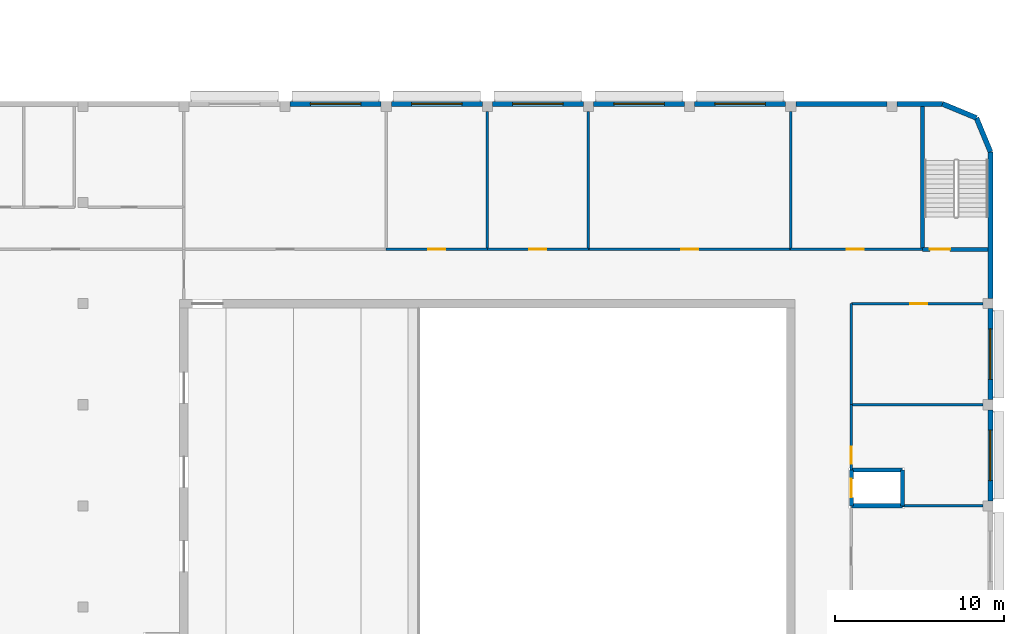
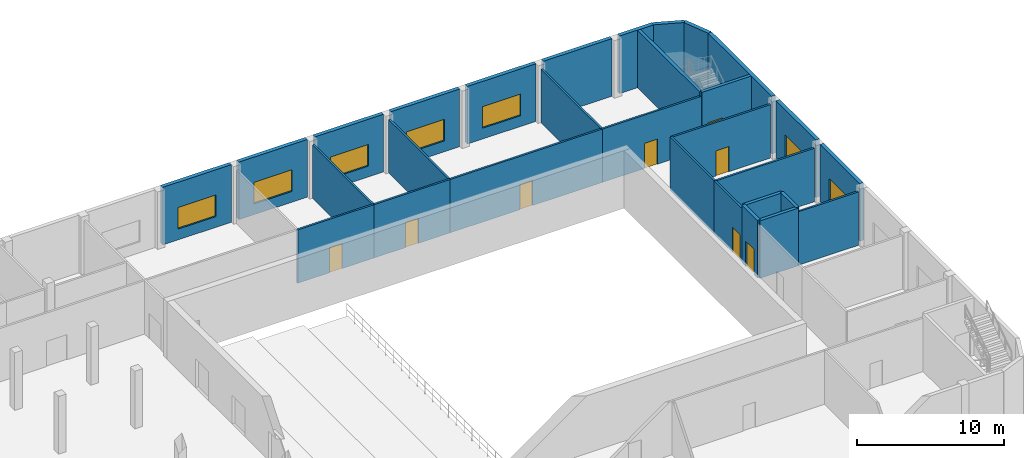
# One storey, part 25 of 45: 30 walls, 8 doors, 7 windows, 15 openings.
"""IFC4 building model written with IfcOpenShell, lengths in metres."""

import ifcopenshell
import ifcopenshell.guid

model = None  # the IFC model being written
_history = None  # IfcOwnerHistory: only IFC2X3 demands one
_inside = {}  # id of a spatial element -> (the spatial element, [elements in it])
_under = {}  # id of a project, library or spatial element -> (it, [spatial elements below it])
_declared = {}  # id of a project -> (the project, [libraries it declares])
_typed = {}  # id of a type object -> (the type object, [elements of that type])
_made_of = {}  # id of a material, layer set ... -> (it, [elements and type objects made of it])


def new_model(schema):
    """Start an empty IFC model of exactly this schema.

    Asked for "IFC4X3", IfcOpenShell would pick the latest addendum, in which some entities
    have other attributes; the version numbers below select the first issue.
    IFC2X3 requires an IfcOwnerHistory on every rooted entity: one is made here for all.
    """
    global model, _history
    if schema == "IFC4X3":
        model = ifcopenshell.file(schema_version=(4, 3, 0, 0))
    else:
        model = ifcopenshell.file(schema=schema)
    _inside.clear()
    _under.clear()
    _declared.clear()
    _typed.clear()
    _made_of.clear()
    _history = None
    if model.schema == "IFC2X3":
        org = make("IfcOrganization", Name="unknown")
        user = make(
            "IfcPersonAndOrganization",
            ThePerson=make("IfcPerson", FamilyName="unknown"),
            TheOrganization=org,
        )
        app = make(
            "IfcApplication",
            ApplicationDeveloper=org,
            Version="unknown",
            ApplicationFullName="unknown",
            ApplicationIdentifier="unknown",
        )
        _history = make(
            "IfcOwnerHistory",
            OwningUser=user,
            OwningApplication=app,
            ChangeAction="ADDED",
            CreationDate=0,
        )
    return model


def make(cls, **values):
    """One entity of the class cls with the attributes given. An attribute that is None is left unset."""
    return model.create_entity(
        cls, **{name: value for name, value in values.items() if value is not None}
    )


def rooted(cls, **values):
    """An entity with a GlobalId (a new one), such as an element, a storey or a relation."""
    return make(cls, GlobalId=ifcopenshell.guid.new(), OwnerHistory=_history, **values)


def si_unit(unit_type, name, prefix=None):
    """IfcSIUnit, for example si_unit("LENGTHUNIT", "METRE", prefix="MILLI")."""
    return make("IfcSIUnit", UnitType=unit_type, Prefix=prefix, Name=name)


def assignment(units):
    """IfcUnitAssignment: the units of a project."""
    return None if units is None else make("IfcUnitAssignment", Units=units)


def point(xyz):
    """IfcCartesianPoint."""
    return None if xyz is None else make("IfcCartesianPoint", Coordinates=xyz)


def direction(xyz):
    """IfcDirection."""
    return None if xyz is None else make("IfcDirection", DirectionRatios=xyz)


def frame(location, z_axis=None, x_axis=None):
    """IfcAxis2Placement3D, a coordinate frame: its origin and axes. An axis left out is left unset."""
    return make(
        "IfcAxis2Placement3D",
        Location=point(location),
        Axis=direction(z_axis),
        RefDirection=direction(x_axis),
    )


def frame_2d(location, x_axis=None):
    """IfcAxis2Placement2D, a coordinate frame in the plane: its origin and x axis."""
    return make(
        "IfcAxis2Placement2D", Location=point(location), RefDirection=direction(x_axis)
    )


def origin():
    """The frame at (0, 0, 0) with its axes left unset."""
    return frame((0.0, 0.0, 0.0))


def place(relative_to, where):
    """IfcLocalPlacement: puts the frame where relative to a parent placement (None: the world)."""
    return make(
        "IfcLocalPlacement", PlacementRelTo=relative_to, RelativePlacement=where
    )


def context(
    kind, dimensions, precision=None, world=None, true_north=None, identifier=None
):
    """IfcGeometricRepresentationContext, for example the 3D "Model" context."""
    return make(
        "IfcGeometricRepresentationContext",
        ContextIdentifier=identifier,
        ContextType=kind,
        CoordinateSpaceDimension=dimensions,
        Precision=precision,
        WorldCoordinateSystem=world,
        TrueNorth=true_north,
    )


def subcontext(parent, identifier, kind, view, scale=None):
    """IfcGeometricRepresentationSubContext, for example "Body" below "Model"."""
    return make(
        "IfcGeometricRepresentationSubContext",
        ContextIdentifier=identifier,
        ContextType=kind,
        ParentContext=parent,
        TargetScale=scale,
        TargetView=view,
    )


def project(units=None, contexts=None):
    """IfcProject with its units and contexts."""
    return rooted(
        "IfcProject",
        Name="project",
        RepresentationContexts=contexts,
        UnitsInContext=assignment(units),
    )


def spatial(cls, under=None, at=None, **own):
    """A site, building, storey or space (cls), placed at a placement, below another one or the project."""
    s = rooted(cls, ObjectPlacement=at, **own)
    if under is not None:
        _under.setdefault(under.id(), (under, []))[1].append(s)
    return s


def profile(cls, at=None, kind="AREA", **sizes):
    """A parametric profile (cls). Its sizes go by their IFC names, for example OverallWidth=200.0."""
    return make(cls, ProfileType=kind, Position=at, **sizes)


def rectangle(**sizes):
    """IfcRectangleProfileDef."""
    return profile("IfcRectangleProfileDef", **sizes)


def extrude(swept, where, along, depth):
    """IfcExtrudedAreaSolid: the profile swept, set in the frame where, extruded along a direction by depth."""
    return make(
        "IfcExtrudedAreaSolid",
        SweptArea=swept,
        Position=where,
        ExtrudedDirection=direction(along),
        Depth=depth,
    )


def shape(context_of_items, identifier, shape_type, items):
    """IfcShapeRepresentation: the items that make up one representation, for example the "Body"."""
    return make(
        "IfcShapeRepresentation",
        ContextOfItems=context_of_items,
        RepresentationIdentifier=identifier,
        RepresentationType=shape_type,
        Items=items,
    )


def material(Name=None, Category=None):
    """IfcMaterial."""
    return make("IfcMaterial", Name=Name, Category=Category)


def layer(
    of_material, thickness, ventilated=None, Name=None, Category=None, Priority=None
):
    """IfcMaterialLayer: one layer of a wall or slab, of a material (None: an air gap)."""
    return make(
        "IfcMaterialLayer",
        Material=of_material,
        LayerThickness=thickness,
        IsVentilated=ventilated,
        Name=Name,
        Category=Category,
        Priority=Priority,
    )


def layer_set(layers, Name=None):
    """IfcMaterialLayerSet."""
    return make("IfcMaterialLayerSet", MaterialLayers=layers, LayerSetName=Name)


def made_of(thing, what):
    """Note that an element or type object is made of a material, layer set ...; save() writes the relation."""
    if what is not None:
        _made_of.setdefault(what.id(), (what, []))[1].append(thing)
    return thing


def type_object(cls, material=None, **own):
    """A type object (cls), such as IfcWallType, which elements share."""
    return made_of(rooted(cls, **own), material)


def element(
    cls,
    number,
    at=None,
    inside=None,
    cuts=None,
    type_object=None,
    material=None,
    context=None,
    identifier="Body",
    shape_type=None,
    held_by="IfcProductDefinitionShape",
    body=None,
    shapes=None,
    **own,
):
    """One element of the class cls, such as IfcWall. Its Tag is "e" and its number.

    at: its placement. inside: the storey or other place that contains it. cuts: it is an
    opening in that element (IfcRelVoidsElement). A single representation is given by context,
    identifier, shape_type and body (its items); several are given by shapes. held_by: the class
    of the entity that holds the representations. save() writes the other relations.
    """
    e = rooted(cls, Tag="e%d" % number, ObjectPlacement=at, **own)
    if body is not None:
        shapes = [shape(context, identifier, shape_type, body)]
    if shapes is not None:
        e.Representation = make(held_by, Representations=shapes)
    if inside is not None:
        _inside.setdefault(inside.id(), (inside, []))[1].append(e)
    if cuts is not None:
        rooted(
            "IfcRelVoidsElement", RelatingBuildingElement=cuts, RelatedOpeningElement=e
        )
    if type_object is not None:
        _typed.setdefault(type_object.id(), (type_object, []))[1].append(e)
    return made_of(e, material)


def fill(opening, filler):
    """IfcRelFillsElement: the door or window that sits in an opening."""
    return rooted(
        "IfcRelFillsElement",
        RelatingOpeningElement=opening,
        RelatedBuildingElement=filler,
    )


def aggregate(whole, parts):
    """IfcRelAggregates: a whole, such as a stair, and the parts it consists of."""
    return rooted("IfcRelAggregates", RelatingObject=whole, RelatedObjects=parts)


def save(model, path):
    """Write the relations noted so far, then the file.

    IfcRelAggregates (storeys below a building ...), IfcRelContainedInSpatialStructure (elements
    in a storey), IfcRelDefinesByType, IfcRelAssociatesMaterial and IfcRelDeclares: one each for
    every whole, place, type object, material and project.
    """
    for whole, parts in _under.values():
        aggregate(whole, parts)
    for where, things in _inside.values():
        rooted(
            "IfcRelContainedInSpatialStructure",
            RelatedElements=things,
            RelatingStructure=where,
        )
    for kind, things in _typed.values():
        rooted("IfcRelDefinesByType", RelatedObjects=things, RelatingType=kind)
    for what, things in _made_of.values():
        rooted("IfcRelAssociatesMaterial", RelatedObjects=things, RelatingMaterial=what)
    for by, libraries in _declared.values():
        rooted("IfcRelDeclares", RelatingContext=by, RelatedDefinitions=libraries)
    model.write(path)


model = new_model("IFC4")

# Units and contexts
model_context = context("Model", 3, precision=1e-05, world=origin(), true_north=direction((0.0, 1.0)))
body_context = subcontext(model_context, "Body", "Model", "MODEL_VIEW")
ifc_project = project(units=[si_unit("LENGTHUNIT", "METRE"), si_unit("AREAUNIT", "SQUARE_METRE"), si_unit("VOLUMEUNIT", "CUBIC_METRE"), si_unit("PLANEANGLEUNIT", "RADIAN"), si_unit("MASSUNIT", "GRAM", prefix="KILO")], contexts=[model_context])

# Site, building, storey
site_placement = place(None, origin())
site = spatial("IfcSite", under=ifc_project, at=site_placement, CompositionType="ELEMENT")
building_placement = place(site_placement, origin())
building = spatial("IfcBuilding", under=site, at=building_placement, Name="Nakaniwa Court", CompositionType="ELEMENT")
storey_placement = place(building_placement, frame((0.0, 0.0, 6.60009765625)))
storey = spatial("IfcBuildingStorey", under=building, at=storey_placement, Name="L01", CompositionType="ELEMENT", Elevation=6.60009765625)

# Wall, opening, window
ifc_material_1 = material(Name="Concrete C50/60", Category="concrete")
ifc_layer_1 = layer(ifc_material_1, 0.300048828125)
ifc_layer_set_1 = layer_set([ifc_layer_1], Name="Concrete C50/60")
wall_type_1 = type_object("IfcWallType", Name="Fair faced concrete wall 300", PredefinedType="SOLIDWALL", material=ifc_layer_set_1)
wall_1_placement = place(storey_placement, frame((176.300048828125, 103.85009765625, 0.0), z_axis=(0.0, 0.0, 1.0), x_axis=(1.0, 0.0, 0.0)))
wall_1 = element("IfcWall", 1, at=wall_1_placement, inside=storey, type_object=wall_type_1, Name="Facade wall L01 15", PredefinedType="SOLIDWALL", context=body_context, shape_type="SweptSolid", body=[
    extrude(rectangle(XDim=5.39990234375, YDim=0.300048828125, at=frame_2d((2.699951171875, 0.0))), origin(), (0.0, 0.0, 1.0), 4.7998046875),
])
opening_1_placement = place(wall_1_placement, frame((1.199951171875, 0.0, 0.89990234375)))
opening_1 = element("IfcOpeningElement", 2, at=opening_1_placement, cuts=wall_1, Name="Opening HWN-19", PredefinedType="OPENING", context=body_context, shape_type="SweptSolid", body=[
    extrude(rectangle(XDim=3.0, YDim=1.800048828125, at=frame_2d((1.5, 0.89990234375))), frame((0.0, 0.159912109375, 0.0), z_axis=(0.0, -1.0, 0.0), x_axis=(1.0, 0.0, 0.0)), (0.0, 0.0, 1.0), 0.320068359375),
])
ifc_material_2 = material(Name="Black powder-coated aluminium frame with dark glass", Category="aluminium")
window_type = type_object("IfcWindowType", Name="Hall window 3000x1800", PartitioningType="SINGLE_PANEL", PredefinedType="WINDOW", material=ifc_material_2)
window_1_placement = place(opening_1_placement, origin())
window_1 = element("IfcWindow", 3, at=window_1_placement, inside=storey, type_object=window_type, Name="Window L01:014", OverallHeight=1.800048828125, OverallWidth=3.0, PartitioningType="SINGLE_PANEL", PredefinedType="WINDOW", context=body_context, shape_type="SweptSolid", body=[
    extrude(rectangle(XDim=3.0, YDim=1.800048828125, at=frame_2d((1.5, 0.89990234375))), frame((0.0, 0.030029296875, 0.0), z_axis=(0.0, -1.0, 0.0), x_axis=(1.0, 0.0, 0.0)), (0.0, 0.0, 1.0), 0.06005859375),
])
fill(opening_1, window_1)

wall_2_placement = place(storey_placement, frame((182.300048828125, 103.85009765625, 0.0), z_axis=(0.0, 0.0, 1.0), x_axis=(1.0, 0.0, 0.0)))
wall_2 = element("IfcWall", 4, at=wall_2_placement, inside=storey, type_object=wall_type_1, Name="Facade wall L01 16", PredefinedType="SOLIDWALL", context=body_context, shape_type="SweptSolid", body=[
    extrude(rectangle(XDim=5.39990234375, YDim=0.300048828125, at=frame_2d((2.699951171875, 0.0))), origin(), (0.0, 0.0, 1.0), 4.7998046875),
])
opening_2_placement = place(wall_2_placement, frame((1.199951171875, 0.0, 0.89990234375)))
opening_2 = element("IfcOpeningElement", 5, at=opening_2_placement, cuts=wall_2, Name="Opening HWN-20", PredefinedType="OPENING", context=body_context, shape_type="SweptSolid", body=[
    extrude(rectangle(XDim=3.0, YDim=1.800048828125, at=frame_2d((1.5, 0.89990234375))), frame((0.0, 0.159912109375, 0.0), z_axis=(0.0, -1.0, 0.0), x_axis=(1.0, 0.0, 0.0)), (0.0, 0.0, 1.0), 0.320068359375),
])
window_2_placement = place(opening_2_placement, origin())
window_2 = element("IfcWindow", 6, at=window_2_placement, inside=storey, type_object=window_type, Name="Window L01:015", OverallHeight=1.800048828125, OverallWidth=3.0, PartitioningType="SINGLE_PANEL", PredefinedType="WINDOW", context=body_context, shape_type="SweptSolid", body=[
    extrude(rectangle(XDim=3.0, YDim=1.800048828125, at=frame_2d((1.5, 0.89990234375))), frame((0.0, 0.030029296875, 0.0), z_axis=(0.0, -1.0, 0.0), x_axis=(1.0, 0.0, 0.0)), (0.0, 0.0, 1.0), 0.06005859375),
])
fill(opening_2, window_2)

wall_3_placement = place(storey_placement, frame((188.300048828125, 103.85009765625, 0.0), z_axis=(0.0, 0.0, 1.0), x_axis=(1.0, 0.0, 0.0)))
wall_3 = element("IfcWall", 7, at=wall_3_placement, inside=storey, type_object=wall_type_1, Name="Facade wall L01 17", PredefinedType="SOLIDWALL", context=body_context, shape_type="SweptSolid", body=[
    extrude(rectangle(XDim=5.39990234375, YDim=0.300048828125, at=frame_2d((2.699951171875, 0.0))), origin(), (0.0, 0.0, 1.0), 4.7998046875),
])
opening_3_placement = place(wall_3_placement, frame((1.199951171875, 0.0, 0.89990234375)))
opening_3 = element("IfcOpeningElement", 8, at=opening_3_placement, cuts=wall_3, Name="Opening HWN-21", PredefinedType="OPENING", context=body_context, shape_type="SweptSolid", body=[
    extrude(rectangle(XDim=3.0, YDim=1.800048828125, at=frame_2d((1.5, 0.89990234375))), frame((0.0, 0.159912109375, 0.0), z_axis=(0.0, -1.0, 0.0), x_axis=(1.0, 0.0, 0.0)), (0.0, 0.0, 1.0), 0.320068359375),
])
window_3_placement = place(opening_3_placement, origin())
window_3 = element("IfcWindow", 9, at=window_3_placement, inside=storey, type_object=window_type, Name="Window L01:016", OverallHeight=1.800048828125, OverallWidth=3.0, PartitioningType="SINGLE_PANEL", PredefinedType="WINDOW", context=body_context, shape_type="SweptSolid", body=[
    extrude(rectangle(XDim=3.0, YDim=1.800048828125, at=frame_2d((1.5, 0.89990234375))), frame((0.0, 0.030029296875, 0.0), z_axis=(0.0, -1.0, 0.0), x_axis=(1.0, 0.0, 0.0)), (0.0, 0.0, 1.0), 0.06005859375),
])
fill(opening_3, window_3)

wall_4_placement = place(storey_placement, frame((194.300048828125, 103.85009765625, 0.0), z_axis=(0.0, 0.0, 1.0), x_axis=(1.0, 0.0, 0.0)))
wall_4 = element("IfcWall", 10, at=wall_4_placement, inside=storey, type_object=wall_type_1, Name="Facade wall L01 18", PredefinedType="SOLIDWALL", context=body_context, shape_type="SweptSolid", body=[
    extrude(rectangle(XDim=5.39990234375, YDim=0.300048828125, at=frame_2d((2.699951171875, 0.0))), origin(), (0.0, 0.0, 1.0), 4.7998046875),
])
opening_4_placement = place(wall_4_placement, frame((1.199951171875, 0.0, 0.89990234375)))
opening_4 = element("IfcOpeningElement", 11, at=opening_4_placement, cuts=wall_4, Name="Opening HWN-22", PredefinedType="OPENING", context=body_context, shape_type="SweptSolid", body=[
    extrude(rectangle(XDim=3.0, YDim=1.800048828125, at=frame_2d((1.5, 0.89990234375))), frame((0.0, 0.159912109375, 0.0), z_axis=(0.0, -1.0, 0.0), x_axis=(1.0, 0.0, 0.0)), (0.0, 0.0, 1.0), 0.320068359375),
])
window_4_placement = place(opening_4_placement, origin())
window_4 = element("IfcWindow", 12, at=window_4_placement, inside=storey, type_object=window_type, Name="Window L01:017", OverallHeight=1.800048828125, OverallWidth=3.0, PartitioningType="SINGLE_PANEL", PredefinedType="WINDOW", context=body_context, shape_type="SweptSolid", body=[
    extrude(rectangle(XDim=3.0, YDim=1.800048828125, at=frame_2d((1.5, 0.89990234375))), frame((0.0, 0.030029296875, 0.0), z_axis=(0.0, -1.0, 0.0), x_axis=(1.0, 0.0, 0.0)), (0.0, 0.0, 1.0), 0.06005859375),
])
fill(opening_4, window_4)

wall_5_placement = place(storey_placement, frame((200.300048828125, 103.85009765625, 0.0), z_axis=(0.0, 0.0, 1.0), x_axis=(1.0, 0.0, 0.0)))
wall_5 = element("IfcWall", 13, at=wall_5_placement, inside=storey, type_object=wall_type_1, Name="Facade wall L01 19", PredefinedType="SOLIDWALL", context=body_context, shape_type="SweptSolid", body=[
    extrude(rectangle(XDim=5.39990234375, YDim=0.300048828125, at=frame_2d((2.699951171875, 0.0))), origin(), (0.0, 0.0, 1.0), 4.7998046875),
])
opening_5_placement = place(wall_5_placement, frame((1.199951171875, 0.0, 0.89990234375)))
opening_5 = element("IfcOpeningElement", 14, at=opening_5_placement, cuts=wall_5, Name="Opening HWN-23", PredefinedType="OPENING", context=body_context, shape_type="SweptSolid", body=[
    extrude(rectangle(XDim=3.0, YDim=1.800048828125, at=frame_2d((1.5, 0.89990234375))), frame((0.0, 0.159912109375, 0.0), z_axis=(0.0, -1.0, 0.0), x_axis=(1.0, 0.0, 0.0)), (0.0, 0.0, 1.0), 0.320068359375),
])
window_5_placement = place(opening_5_placement, origin())
window_5 = element("IfcWindow", 15, at=window_5_placement, inside=storey, type_object=window_type, Name="Window L01:018", OverallHeight=1.800048828125, OverallWidth=3.0, PartitioningType="SINGLE_PANEL", PredefinedType="WINDOW", context=body_context, shape_type="SweptSolid", body=[
    extrude(rectangle(XDim=3.0, YDim=1.800048828125, at=frame_2d((1.5, 0.89990234375))), frame((0.0, 0.030029296875, 0.0), z_axis=(0.0, -1.0, 0.0), x_axis=(1.0, 0.0, 0.0)), (0.0, 0.0, 1.0), 0.06005859375),
])
fill(opening_5, window_5)

# Walls
wall_6_placement = place(storey_placement, frame((206.300048828125, 103.85009765625, 0.0), z_axis=(0.0, 0.0, 1.0), x_axis=(1.0, 0.0, 0.0)))
element("IfcWall", 16, at=wall_6_placement, inside=storey, type_object=wall_type_1, Name="Facade wall L01 20", PredefinedType="SOLIDWALL", context=body_context, shape_type="SweptSolid", body=[
    extrude(rectangle(XDim=5.39990234375, YDim=0.300048828125, at=frame_2d((2.699951171875, 0.0))), origin(), (0.0, 0.0, 1.0), 4.7998046875),
])
wall_7_placement = place(storey_placement, frame((212.300048828125, 103.85009765625, 0.0), z_axis=(0.0, 0.0, 1.0), x_axis=(1.0, 0.0, 0.0)))
element("IfcWall", 17, at=wall_7_placement, inside=storey, type_object=wall_type_1, Name="Facade wall L01 21", PredefinedType="SOLIDWALL", context=body_context, shape_type="SweptSolid", body=[
    extrude(rectangle(XDim=2.699951171875, YDim=0.300048828125, at=frame_2d((1.35009765625, 0.0))), origin(), (0.0, 0.0, 1.0), 4.7998046875),
])
for number, where, z_axis, x_axis, name in (
    (18, (215.0, 103.85009765625, 0.0), (0.0, 0.0, 1.0), (0.923892706888, -0.382651625058, 0.0), "Facade wall L01 22"),
    (19, (217.015380859375, 103.015380859375, 0.0), (0.0, 0.0, 1.0), (0.382651625058, -0.923892706888, 0.0), "Facade wall L01 23"),
):
    element("IfcWall", number, at=place(storey_placement, frame(where, z_axis=z_axis, x_axis=x_axis)), inside=storey, type_object=wall_type_1, Name=name, PredefinedType="SOLIDWALL", context=body_context, shape_type="SweptSolid", body=[
        extrude(rectangle(XDim=2.181396484375, YDim=0.300048828125, at=frame_2d((1.0908203125, 0.0))), origin(), (0.0, 0.0, 1.0), 4.7998046875),
    ])
wall_8_placement = place(storey_placement, frame((217.85009765625, 101.0, 0.0), z_axis=(0.0, 0.0, 1.0), x_axis=(0.0, -1.0, 0.0)))
element("IfcWall", 20, at=wall_8_placement, inside=storey, type_object=wall_type_1, Name="Facade wall L01 24", PredefinedType="SOLIDWALL", context=body_context, shape_type="SweptSolid", body=[
    extrude(rectangle(XDim=8.699951171875, YDim=0.300048828125, at=frame_2d((4.35009765625, 0.0))), origin(), (0.0, 0.0, 1.0), 4.7998046875),
])

# Wall, opening, window
wall_9_placement = place(storey_placement, frame((217.85009765625, 91.699951171875, 0.0), z_axis=(0.0, 0.0, 1.0), x_axis=(0.0, -1.0, 0.0)))
wall_9 = element("IfcWall", 21, at=wall_9_placement, inside=storey, type_object=wall_type_1, Name="Facade wall L01 25", PredefinedType="SOLIDWALL", context=body_context, shape_type="SweptSolid", body=[
    extrude(rectangle(XDim=5.39990234375, YDim=0.300048828125, at=frame_2d((2.699951171875, 0.0))), origin(), (0.0, 0.0, 1.0), 4.7998046875),
])
opening_6_placement = place(wall_9_placement, frame((1.199951171875, 0.0, 0.89990234375)))
opening_6 = element("IfcOpeningElement", 22, at=opening_6_placement, cuts=wall_9, Name="Opening HWN-24", PredefinedType="OPENING", context=body_context, shape_type="SweptSolid", body=[
    extrude(rectangle(XDim=3.0, YDim=1.800048828125, at=frame_2d((1.5, 0.89990234375))), frame((0.0, 0.159912109375, 0.0), z_axis=(0.0, -1.0, 0.0), x_axis=(1.0, 0.0, 0.0)), (0.0, 0.0, 1.0), 0.320068359375),
])
window_6_placement = place(opening_6_placement, origin())
window_6 = element("IfcWindow", 23, at=window_6_placement, inside=storey, type_object=window_type, Name="Window L01:024", OverallHeight=1.800048828125, OverallWidth=3.0, PartitioningType="SINGLE_PANEL", PredefinedType="WINDOW", context=body_context, shape_type="SweptSolid", body=[
    extrude(rectangle(XDim=3.0, YDim=1.800048828125, at=frame_2d((1.5, 0.89990234375))), frame((0.0, 0.030029296875, 0.0), z_axis=(0.0, -1.0, 0.0), x_axis=(1.0, 0.0, 0.0)), (0.0, 0.0, 1.0), 0.06005859375),
])
fill(opening_6, window_6)

wall_10_placement = place(storey_placement, frame((217.85009765625, 85.699951171875, 0.0), z_axis=(0.0, 0.0, 1.0), x_axis=(0.0, -1.0, 0.0)))
wall_10 = element("IfcWall", 24, at=wall_10_placement, inside=storey, type_object=wall_type_1, Name="Facade wall L01 26", PredefinedType="SOLIDWALL", context=body_context, shape_type="SweptSolid", body=[
    extrude(rectangle(XDim=5.39990234375, YDim=0.300048828125, at=frame_2d((2.699951171875, 0.0))), origin(), (0.0, 0.0, 1.0), 4.7998046875),
])
opening_7_placement = place(wall_10_placement, frame((1.199951171875, 0.0, 0.89990234375)))
opening_7 = element("IfcOpeningElement", 25, at=opening_7_placement, cuts=wall_10, Name="Opening HWN-25", PredefinedType="OPENING", context=body_context, shape_type="SweptSolid", body=[
    extrude(rectangle(XDim=3.0, YDim=1.800048828125, at=frame_2d((1.5, 0.89990234375))), frame((0.0, 0.159912109375, 0.0), z_axis=(0.0, -1.0, 0.0), x_axis=(1.0, 0.0, 0.0)), (0.0, 0.0, 1.0), 0.320068359375),
])
window_7_placement = place(opening_7_placement, origin())
window_7 = element("IfcWindow", 26, at=window_7_placement, inside=storey, type_object=window_type, Name="Window L01:025", OverallHeight=1.800048828125, OverallWidth=3.0, PartitioningType="SINGLE_PANEL", PredefinedType="WINDOW", context=body_context, shape_type="SweptSolid", body=[
    extrude(rectangle(XDim=3.0, YDim=1.800048828125, at=frame_2d((1.5, 0.89990234375))), frame((0.0, 0.030029296875, 0.0), z_axis=(0.0, -1.0, 0.0), x_axis=(1.0, 0.0, 0.0)), (0.0, 0.0, 1.0), 0.06005859375),
])
fill(opening_7, window_7)

# Wall
ifc_material_3 = material(Name="Concrete C40/50", Category="concrete")
ifc_layer_2 = layer(ifc_material_3, 0.25)
ifc_layer_set_2 = layer_set([ifc_layer_2], Name="Concrete C40/50")
wall_type_2 = type_object("IfcWallType", Name="Fire isolated shaft wall RC 250", PredefinedType="SOLIDWALL", material=ifc_layer_set_2)
wall_11_placement = place(storey_placement, frame((209.60009765625, 80.0, 0.0), z_axis=(0.0, 0.0, 1.0), x_axis=(1.0, 0.0, 0.0)))
element("IfcWall", 27, at=wall_11_placement, inside=storey, type_object=wall_type_2, Name="L01 shaft wall 46", PredefinedType="SOLIDWALL", context=body_context, shape_type="SweptSolid", body=[
    extrude(rectangle(XDim=3.02490234375, YDim=0.25, at=frame_2d((1.512451171875, 0.0))), origin(), (0.0, 0.0, 1.0), 4.7998046875),
])

# Wall, opening, door
wall_12_placement = place(storey_placement, frame((209.60009765625, 82.125, 0.0), z_axis=(0.0, 0.0, 1.0), x_axis=(0.0, -1.0, 0.0)))
wall_12 = element("IfcWall", 28, at=wall_12_placement, inside=storey, type_object=wall_type_2, Name="L01 shaft wall 47", PredefinedType="SOLIDWALL", context=body_context, shape_type="SweptSolid", body=[
    extrude(rectangle(XDim=2.125, YDim=0.25, at=frame_2d((1.0625, 0.0))), origin(), (0.0, 0.0, 1.0), 4.7998046875),
])
opening_8_placement = place(wall_12_placement, frame((0.52490234375, 0.0, 0.0)))
opening_8 = element("IfcOpeningElement", 29, at=opening_8_placement, cuts=wall_12, Name="Opening LD-03", PredefinedType="OPENING", context=body_context, shape_type="SweptSolid", body=[
    extrude(rectangle(XDim=1.10009765625, YDim=2.10009765625, at=frame_2d((0.550048828125, 1.050048828125))), frame((0.0, 0.135009765625, 0.0), z_axis=(0.0, -1.0, 0.0), x_axis=(1.0, 0.0, 0.0)), (0.0, 0.0, 1.0), 0.27001953125),
])
ifc_material_4 = material(Name="Brushed stainless steel sliding landing door", Category="steel")
door_type_1 = type_object("IfcDoorType", Name="Hall lift landing door 1100x2100", OperationType="SLIDING_TO_LEFT", PredefinedType="DOOR", material=ifc_material_4)
door_1_placement = place(opening_8_placement, origin())
door_1 = element("IfcDoor", 30, at=door_1_placement, inside=storey, type_object=door_type_1, Name="L01 lift landing door HL3", OperationType="SLIDING_TO_LEFT", OverallHeight=2.10009765625, OverallWidth=1.10009765625, PredefinedType="DOOR", context=body_context, shape_type="SweptSolid", body=[
    extrude(rectangle(XDim=1.10009765625, YDim=2.10009765625, at=frame_2d((0.550048828125, 1.050048828125))), frame((0.0, 0.02490234375, 0.0), z_axis=(0.0, -1.0, 0.0), x_axis=(1.0, 0.0, 0.0)), (0.0, 0.0, 1.0), 0.050048828125),
])
fill(opening_8, door_1)

# Walls
wall_13_placement = place(storey_placement, frame((209.60009765625, 82.125, 0.0), z_axis=(0.0, 0.0, 1.0), x_axis=(1.0, 0.0, 0.0)))
element("IfcWall", 31, at=wall_13_placement, inside=storey, type_object=wall_type_2, Name="L01 shaft wall 48", PredefinedType="SOLIDWALL", context=body_context, shape_type="SweptSolid", body=[
    extrude(rectangle(XDim=3.02490234375, YDim=0.25, at=frame_2d((1.512451171875, 0.0))), origin(), (0.0, 0.0, 1.0), 4.7998046875),
])
wall_14_placement = place(storey_placement, frame((212.625, 82.125, 0.0), z_axis=(0.0, 0.0, 1.0), x_axis=(0.0, -1.0, 0.0)))
element("IfcWall", 32, at=wall_14_placement, inside=storey, type_object=wall_type_2, Name="L01 shaft wall 49", PredefinedType="SOLIDWALL", context=body_context, shape_type="SweptSolid", body=[
    extrude(rectangle(XDim=2.125, YDim=0.25, at=frame_2d((1.0625, 0.0))), origin(), (0.0, 0.0, 1.0), 4.7998046875),
])

# Wall, opening, door
wall_15_placement = place(storey_placement, frame((213.824951171875, 95.215087890625, 0.0), z_axis=(0.0, 0.0, 1.0), x_axis=(1.0, 0.0, 0.0)))
wall_15 = element("IfcWall", 33, at=wall_15_placement, inside=storey, type_object=wall_type_2, Name="L01 shaft wall 57", PredefinedType="SOLIDWALL", context=body_context, shape_type="SweptSolid", body=[
    extrude(rectangle(XDim=3.875, YDim=0.25, at=frame_2d((1.9375, 0.0))), origin(), (0.0, 0.0, 1.0), 4.7998046875),
])
opening_9_placement = place(wall_15_placement, frame((0.425048828125, 0.0, 0.0)))
opening_9 = element("IfcOpeningElement", 34, at=opening_9_placement, cuts=wall_15, Name="Opening HD-73", PredefinedType="OPENING", context=body_context, shape_type="SweptSolid", body=[
    extrude(rectangle(XDim=1.199951171875, YDim=2.10009765625, at=frame_2d((0.60009765625, 1.050048828125))), frame((0.0, 0.135009765625, 0.0), z_axis=(0.0, -1.0, 0.0), x_axis=(1.0, 0.0, 0.0)), (0.0, 0.0, 1.0), 0.27001953125),
])
ifc_material_5 = material(Name="Insulated steel door leaf in steel frame", Category="steel")
door_type_2 = type_object("IfcDoorType", Name="Hall stair door 1200x2100", OperationType="SINGLE_SWING_LEFT", PredefinedType="DOOR", material=ifc_material_5)
door_2_placement = place(opening_9_placement, origin())
door_2 = element("IfcDoor", 35, at=door_2_placement, inside=storey, type_object=door_type_2, Name="L01 door Exit-stair-H4", OperationType="SINGLE_SWING_RIGHT", OverallHeight=2.10009765625, OverallWidth=1.199951171875, PredefinedType="DOOR", context=body_context, shape_type="SweptSolid", body=[
    extrude(rectangle(XDim=1.199951171875, YDim=2.10009765625, at=frame_2d((0.60009765625, 1.050048828125))), frame((0.0, 0.02490234375, 0.0), z_axis=(0.0, -1.0, 0.0), x_axis=(1.0, 0.0, 0.0)), (0.0, 0.0, 1.0), 0.050048828125),
])
fill(opening_9, door_2)

# Wall
wall_16_placement = place(storey_placement, frame((213.824951171875, 95.215087890625, 0.0), z_axis=(0.0, 0.0, 1.0), x_axis=(0.0, 1.0, 0.0)))
element("IfcWall", 36, at=wall_16_placement, inside=storey, type_object=wall_type_2, Name="L01 shaft wall 58", PredefinedType="SOLIDWALL", context=body_context, shape_type="SweptSolid", body=[
    extrude(rectangle(XDim=8.48486328125, YDim=0.25, at=frame_2d((4.242431640625, 0.0))), origin(), (0.0, 0.0, 1.0), 4.7998046875),
])

# Wall, opening, door
ifc_material_6 = material(Name="Steel stud plasterboard partition", Category="steel")
ifc_layer_3 = layer(ifc_material_6, 0.14990234375)
ifc_layer_set_3 = layer_set([ifc_layer_3], Name="Steel stud plasterboard partition")
wall_type_3 = type_object("IfcWallType", Name="Partition 150", PredefinedType="PARTITIONING", material=ifc_layer_set_3)
wall_17_placement = place(storey_placement, frame((182.0, 95.215087890625, 0.0), z_axis=(0.0, 0.0, 1.0), x_axis=(1.0, 0.0, 0.0)))
wall_17 = element("IfcWall", 37, at=wall_17_placement, inside=storey, type_object=wall_type_3, Name="L01 partition wall 28", PredefinedType="PARTITIONING", context=body_context, shape_type="SweptSolid", body=[
    extrude(rectangle(XDim=6.0, YDim=0.14990234375, at=frame_2d((3.0, 0.0))), origin(), (0.0, 0.0, 1.0), 4.449951171875),
])
opening_10_placement = place(wall_17_placement, frame((2.5, 0.0, 0.0)))
opening_10 = element("IfcOpeningElement", 38, at=opening_10_placement, cuts=wall_17, Name="Opening HD-61", PredefinedType="OPENING", context=body_context, shape_type="SweptSolid", body=[
    extrude(rectangle(XDim=1.0, YDim=2.10009765625, at=frame_2d((0.5, 1.050048828125))), frame((0.0, 0.0849609375, 0.0), z_axis=(0.0, -1.0, 0.0), x_axis=(1.0, 0.0, 0.0)), (0.0, 0.0, 1.0), 0.169921875),
])
ifc_material_7 = material(Name="Solid-core timber door leaf in steel frame", Category="steel")
door_type_3 = type_object("IfcDoorType", Name="Hall door 1000x2100", OperationType="SINGLE_SWING_LEFT", PredefinedType="DOOR", material=ifc_material_7)
door_3_placement = place(opening_10_placement, origin())
door_3 = element("IfcDoor", 39, at=door_3_placement, inside=storey, type_object=door_type_3, Name="L01 door Dressing-room-5", OperationType="SINGLE_SWING_LEFT", OverallHeight=2.10009765625, OverallWidth=1.0, PredefinedType="DOOR", context=body_context, shape_type="SweptSolid", body=[
    extrude(rectangle(XDim=1.0, YDim=2.10009765625, at=frame_2d((0.5, 1.050048828125))), frame((0.0, 0.02490234375, 0.0), z_axis=(0.0, -1.0, 0.0), x_axis=(1.0, 0.0, 0.0)), (0.0, 0.0, 1.0), 0.050048828125),
])
fill(opening_10, door_3)

wall_18_placement = place(storey_placement, frame((188.0, 95.215087890625, 0.0), z_axis=(0.0, 0.0, 1.0), x_axis=(1.0, 0.0, 0.0)))
wall_18 = element("IfcWall", 40, at=wall_18_placement, inside=storey, type_object=wall_type_3, Name="L01 partition wall 32", PredefinedType="PARTITIONING", context=body_context, shape_type="SweptSolid", body=[
    extrude(rectangle(XDim=6.0, YDim=0.14990234375, at=frame_2d((3.0, 0.0))), origin(), (0.0, 0.0, 1.0), 4.449951171875),
])
opening_11_placement = place(wall_18_placement, frame((2.5, 0.0, 0.0)))
opening_11 = element("IfcOpeningElement", 41, at=opening_11_placement, cuts=wall_18, Name="Opening HD-63", PredefinedType="OPENING", context=body_context, shape_type="SweptSolid", body=[
    extrude(rectangle(XDim=1.0, YDim=2.10009765625, at=frame_2d((0.5, 1.050048828125))), frame((0.0, 0.0849609375, 0.0), z_axis=(0.0, -1.0, 0.0), x_axis=(1.0, 0.0, 0.0)), (0.0, 0.0, 1.0), 0.169921875),
])
door_4_placement = place(opening_11_placement, origin())
door_4 = element("IfcDoor", 42, at=door_4_placement, inside=storey, type_object=door_type_3, Name="L01 door Dressing-room-6", OperationType="SINGLE_SWING_RIGHT", OverallHeight=2.10009765625, OverallWidth=1.0, PredefinedType="DOOR", context=body_context, shape_type="SweptSolid", body=[
    extrude(rectangle(XDim=1.0, YDim=2.10009765625, at=frame_2d((0.5, 1.050048828125))), frame((0.0, 0.02490234375, 0.0), z_axis=(0.0, -1.0, 0.0), x_axis=(1.0, 0.0, 0.0)), (0.0, 0.0, 1.0), 0.050048828125),
])
fill(opening_11, door_4)

# Wall
wall_19_placement = place(storey_placement, frame((188.0, 103.39990234375, 0.0), z_axis=(0.0, 0.0, 1.0), x_axis=(0.0, -1.0, 0.0)))
element("IfcWall", 43, at=wall_19_placement, inside=storey, type_object=wall_type_3, Name="L01 partition wall 33", PredefinedType="PARTITIONING", context=body_context, shape_type="SweptSolid", body=[
    extrude(rectangle(XDim=8.184814453125, YDim=0.14990234375, at=frame_2d((4.09228515625, 0.0))), origin(), (0.0, 0.0, 1.0), 4.449951171875),
])

# Wall, opening, door
wall_20_placement = place(storey_placement, frame((194.0, 95.215087890625, 0.0), z_axis=(0.0, 0.0, 1.0), x_axis=(1.0, 0.0, 0.0)))
wall_20 = element("IfcWall", 44, at=wall_20_placement, inside=storey, type_object=wall_type_3, Name="L01 partition wall 36", PredefinedType="PARTITIONING", context=body_context, shape_type="SweptSolid", body=[
    extrude(rectangle(XDim=12.0, YDim=0.14990234375, at=frame_2d((6.0, 0.0))), origin(), (0.0, 0.0, 1.0), 4.449951171875),
])
opening_12_placement = place(wall_20_placement, frame((5.5, 0.0, 0.0)))
opening_12 = element("IfcOpeningElement", 45, at=opening_12_placement, cuts=wall_20, Name="Opening HD-65", PredefinedType="OPENING", context=body_context, shape_type="SweptSolid", body=[
    extrude(rectangle(XDim=1.0, YDim=2.10009765625, at=frame_2d((0.5, 1.050048828125))), frame((0.0, 0.0849609375, 0.0), z_axis=(0.0, -1.0, 0.0), x_axis=(1.0, 0.0, 0.0)), (0.0, 0.0, 1.0), 0.169921875),
])
door_5_placement = place(opening_12_placement, origin())
door_5 = element("IfcDoor", 46, at=door_5_placement, inside=storey, type_object=door_type_3, Name="L01 door Wardrobe", OperationType="SINGLE_SWING_LEFT", OverallHeight=2.10009765625, OverallWidth=1.0, PredefinedType="DOOR", context=body_context, shape_type="SweptSolid", body=[
    extrude(rectangle(XDim=1.0, YDim=2.10009765625, at=frame_2d((0.5, 1.050048828125))), frame((0.0, 0.02490234375, 0.0), z_axis=(0.0, -1.0, 0.0), x_axis=(1.0, 0.0, 0.0)), (0.0, 0.0, 1.0), 0.050048828125),
])
fill(opening_12, door_5)

# Wall
wall_21_placement = place(storey_placement, frame((194.0, 103.39990234375, 0.0), z_axis=(0.0, 0.0, 1.0), x_axis=(0.0, -1.0, 0.0)))
element("IfcWall", 47, at=wall_21_placement, inside=storey, type_object=wall_type_3, Name="L01 partition wall 37", PredefinedType="PARTITIONING", context=body_context, shape_type="SweptSolid", body=[
    extrude(rectangle(XDim=8.184814453125, YDim=0.14990234375, at=frame_2d((4.09228515625, 0.0))), origin(), (0.0, 0.0, 1.0), 4.449951171875),
])

# Wall, opening, door
wall_22_placement = place(storey_placement, frame((206.0, 95.215087890625, 0.0), z_axis=(0.0, 0.0, 1.0), x_axis=(1.0, 0.0, 0.0)))
wall_22 = element("IfcWall", 48, at=wall_22_placement, inside=storey, type_object=wall_type_3, Name="L01 partition wall 40", PredefinedType="PARTITIONING", context=body_context, shape_type="SweptSolid", body=[
    extrude(rectangle(XDim=7.824951171875, YDim=0.14990234375, at=frame_2d((3.91259765625, 0.0))), origin(), (0.0, 0.0, 1.0), 4.449951171875),
])
opening_13_placement = place(wall_22_placement, frame((3.324951171875, 0.0, 0.0)))
opening_13 = element("IfcOpeningElement", 49, at=opening_13_placement, cuts=wall_22, Name="Opening HD-67", PredefinedType="OPENING", context=body_context, shape_type="SweptSolid", body=[
    extrude(rectangle(XDim=1.0, YDim=2.10009765625, at=frame_2d((0.5, 1.050048828125))), frame((0.0, 0.0849609375, 0.0), z_axis=(0.0, -1.0, 0.0), x_axis=(1.0, 0.0, 0.0)), (0.0, 0.0, 1.0), 0.169921875),
])
door_6_placement = place(opening_13_placement, origin())
door_6 = element("IfcDoor", 50, at=door_6_placement, inside=storey, type_object=door_type_3, Name="L01 door Laundry", OperationType="SINGLE_SWING_RIGHT", OverallHeight=2.10009765625, OverallWidth=1.0, PredefinedType="DOOR", context=body_context, shape_type="SweptSolid", body=[
    extrude(rectangle(XDim=1.0, YDim=2.10009765625, at=frame_2d((0.5, 1.050048828125))), frame((0.0, 0.02490234375, 0.0), z_axis=(0.0, -1.0, 0.0), x_axis=(1.0, 0.0, 0.0)), (0.0, 0.0, 1.0), 0.050048828125),
])
fill(opening_13, door_6)

# Wall
wall_23_placement = place(storey_placement, frame((206.0, 103.39990234375, 0.0), z_axis=(0.0, 0.0, 1.0), x_axis=(0.0, -1.0, 0.0)))
element("IfcWall", 51, at=wall_23_placement, inside=storey, type_object=wall_type_3, Name="L01 partition wall 41", PredefinedType="PARTITIONING", context=body_context, shape_type="SweptSolid", body=[
    extrude(rectangle(XDim=8.184814453125, YDim=0.14990234375, at=frame_2d((4.09228515625, 0.0))), origin(), (0.0, 0.0, 1.0), 4.449951171875),
])

# Wall, opening, door
wall_24_placement = place(storey_placement, frame((209.60009765625, 86.0, 0.0), z_axis=(0.0, 0.0, 1.0), x_axis=(0.0, -1.0, 0.0)))
wall_24 = element("IfcWall", 52, at=wall_24_placement, inside=storey, type_object=wall_type_3, Name="L01 partition wall 50", PredefinedType="PARTITIONING", context=body_context, shape_type="SweptSolid", body=[
    extrude(rectangle(XDim=3.875, YDim=0.14990234375, at=frame_2d((1.9375, 0.0))), origin(), (0.0, 0.0, 1.0), 4.449951171875),
])
opening_14_placement = place(wall_24_placement, frame((2.5, 0.0, 0.0)))
opening_14 = element("IfcOpeningElement", 53, at=opening_14_placement, cuts=wall_24, Name="Opening HD-70", PredefinedType="OPENING", context=body_context, shape_type="SweptSolid", body=[
    extrude(rectangle(XDim=1.0, YDim=2.10009765625, at=frame_2d((0.5, 1.050048828125))), frame((0.0, 0.0849609375, 0.0), z_axis=(0.0, -1.0, 0.0), x_axis=(1.0, 0.0, 0.0)), (0.0, 0.0, 1.0), 0.169921875),
])
door_7_placement = place(opening_14_placement, origin())
door_7 = element("IfcDoor", 54, at=door_7_placement, inside=storey, type_object=door_type_3, Name="L01 door Dressing-room-3", OperationType="SINGLE_SWING_LEFT", OverallHeight=2.10009765625, OverallWidth=1.0, PredefinedType="DOOR", context=body_context, shape_type="SweptSolid", body=[
    extrude(rectangle(XDim=1.0, YDim=2.10009765625, at=frame_2d((0.5, 1.050048828125))), frame((0.0, 0.02490234375, 0.0), z_axis=(0.0, -1.0, 0.0), x_axis=(1.0, 0.0, 0.0)), (0.0, 0.0, 1.0), 0.050048828125),
])
fill(opening_14, door_7)

# Wall
wall_25_placement = place(storey_placement, frame((209.60009765625, 86.0, 0.0), z_axis=(0.0, 0.0, 1.0), x_axis=(1.0, 0.0, 0.0)))
element("IfcWall", 55, at=wall_25_placement, inside=storey, type_object=wall_type_3, Name="L01 partition wall 51", PredefinedType="PARTITIONING", context=body_context, shape_type="SweptSolid", body=[
    extrude(rectangle(XDim=7.7998046875, YDim=0.14990234375, at=frame_2d((3.89990234375, 0.0))), origin(), (0.0, 0.0, 1.0), 4.449951171875),
])

# Wall, opening, door
wall_26_placement = place(storey_placement, frame((217.39990234375, 92.0, 0.0), z_axis=(0.0, 0.0, 1.0), x_axis=(-1.0, 0.0, 0.0)))
wall_26 = element("IfcWall", 56, at=wall_26_placement, inside=storey, type_object=wall_type_3, Name="L01 partition wall 52", PredefinedType="PARTITIONING", context=body_context, shape_type="SweptSolid", body=[
    extrude(rectangle(XDim=7.7998046875, YDim=0.14990234375, at=frame_2d((3.89990234375, 0.0))), origin(), (0.0, 0.0, 1.0), 4.449951171875),
])
opening_15_placement = place(wall_26_placement, frame((3.300048828125, 0.0, 0.0)))
opening_15 = element("IfcOpeningElement", 57, at=opening_15_placement, cuts=wall_26, Name="Opening HD-71", PredefinedType="OPENING", context=body_context, shape_type="SweptSolid", body=[
    extrude(rectangle(XDim=1.0, YDim=2.10009765625, at=frame_2d((0.5, 1.050048828125))), frame((0.0, 0.0849609375, 0.0), z_axis=(0.0, -1.0, 0.0), x_axis=(1.0, 0.0, 0.0)), (0.0, 0.0, 1.0), 0.169921875),
])
door_8_placement = place(opening_15_placement, origin())
door_8 = element("IfcDoor", 58, at=door_8_placement, inside=storey, type_object=door_type_3, Name="L01 door Dressing-room-4", OperationType="SINGLE_SWING_RIGHT", OverallHeight=2.10009765625, OverallWidth=1.0, PredefinedType="DOOR", context=body_context, shape_type="SweptSolid", body=[
    extrude(rectangle(XDim=1.0, YDim=2.10009765625, at=frame_2d((0.5, 1.050048828125))), frame((0.0, 0.02490234375, 0.0), z_axis=(0.0, -1.0, 0.0), x_axis=(1.0, 0.0, 0.0)), (0.0, 0.0, 1.0), 0.050048828125),
])
fill(opening_15, door_8)

# Walls
wall_27_placement = place(storey_placement, frame((209.60009765625, 92.0, 0.0), z_axis=(0.0, 0.0, 1.0), x_axis=(0.0, -1.0, 0.0)))
element("IfcWall", 59, at=wall_27_placement, inside=storey, type_object=wall_type_3, Name="L01 partition wall 53", PredefinedType="PARTITIONING", context=body_context, shape_type="SweptSolid", body=[
    extrude(rectangle(XDim=6.0, YDim=0.14990234375, at=frame_2d((3.0, 0.0))), origin(), (0.0, 0.0, 1.0), 4.449951171875),
])
wall_28_placement = place(storey_placement, frame((212.625, 80.0, 0.0), z_axis=(0.0, 0.0, 1.0), x_axis=(1.0, 0.0, 0.0)))
element("IfcWall", 60, at=wall_28_placement, inside=storey, type_object=wall_type_3, Name="L01 partition wall 54", PredefinedType="PARTITIONING", context=body_context, shape_type="SweptSolid", body=[
    extrude(rectangle(XDim=4.77490234375, YDim=0.14990234375, at=frame_2d((2.387451171875, 0.0))), origin(), (0.0, 0.0, 1.0), 4.449951171875),
])

save(model, "model.ifc")
